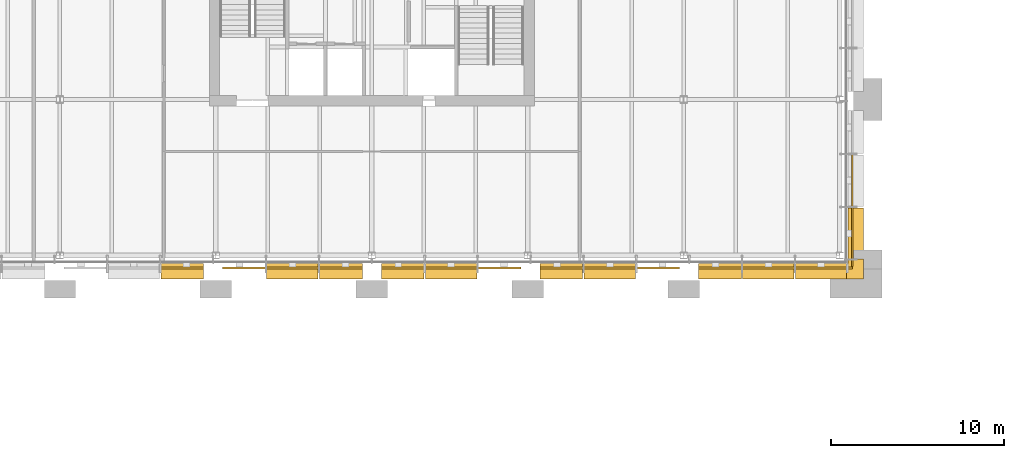
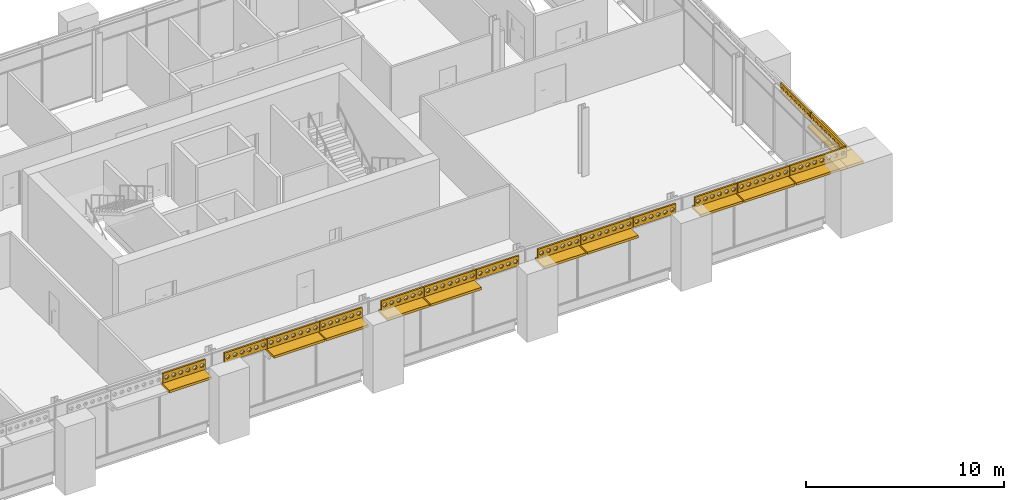
# One storey, part 46 of 54: 27 shading devices.
"""IFC4 building model written with IfcOpenShell, lengths in metres."""

from ifc_helpers import new_model, si_unit, direction, frame, origin, origin_2d, place, context, subcontext, project, spatial, polyline, rectangle, outline, extrude, material, layer, layer_set, type_object, element, save


model = new_model("IFC4")

# Units and contexts
model_context = context("Model", 3, precision=1e-05, world=origin(), true_north=direction((0.0, 1.0)))
body_context = subcontext(model_context, "Body", "Model", "MODEL_VIEW")
ifc_project = project(units=[si_unit("LENGTHUNIT", "METRE"), si_unit("AREAUNIT", "SQUARE_METRE"), si_unit("VOLUMEUNIT", "CUBIC_METRE"), si_unit("PLANEANGLEUNIT", "RADIAN"), si_unit("MASSUNIT", "GRAM", prefix="KILO")], contexts=[model_context])

# Site, building, storey
site_placement = place(None, origin())
site = spatial("IfcSite", under=ifc_project, at=site_placement, CompositionType="ELEMENT")
building_placement = place(site_placement, origin())
building = spatial("IfcBuilding", under=site, at=building_placement, Name="Baradari Gate Terminus", CompositionType="ELEMENT")
storey_placement = place(building_placement, frame((0.0, 0.0, 15.89990234375)))
storey = spatial("IfcBuildingStorey", under=building, at=storey_placement, Name="L03", CompositionType="ELEMENT", Elevation=15.89990234375)

# Shading devices
ifc_material_1 = material(Name="Concrete C40/50 precast", Category="concrete")
ifc_layer_1 = layer(ifc_material_1, 0.14990234375)
ifc_layer_set_1 = layer_set([ifc_layer_1], Name="Concrete C40/50 precast")
shading_device_type_1 = type_object("IfcShadingDeviceType", Name="Chhajja band CJ-1 900x150", PredefinedType="AWNING", material=ifc_layer_set_1)
shading_device_1_placement = place(storey_placement, frame((25.062255859375, 116.080078125, 3.332763671875), z_axis=(0.0, 0.0, 1.0), x_axis=(1.0, 0.0, 0.0)))
element("IfcShadingDevice", 1, at=shading_device_1_placement, inside=storey, type_object=shading_device_type_1, Name="Chhajja band CJ-1 L03/TS bay 6", PredefinedType="AWNING", context=body_context, shape_type="SweptSolid", body=[
    extrude(rectangle(XDim=2.462158203125, YDim=0.89990234375, at=origin_2d()), origin(), (0.0, 0.0, 1.0), 0.14990234375),
])
shading_device_2_placement = place(storey_placement, frame((31.421630859375, 116.080078125, 3.332763671875), z_axis=(0.0, 0.0, 1.0), x_axis=(1.0, 0.0, 0.0)))
element("IfcShadingDevice", 2, at=shading_device_2_placement, inside=storey, type_object=shading_device_type_1, Name="Chhajja band CJ-1 L03/TS bay 8", PredefinedType="AWNING", context=body_context, shape_type="SweptSolid", body=[
    extrude(rectangle(XDim=2.97216796875, YDim=0.89990234375, at=origin_2d()), origin(), (0.0, 0.0, 1.0), 0.14990234375),
])
for number, where, z_axis, x_axis, name in (
    (3, (34.218994140625, 116.080078125, 3.332763671875), (0.0, 0.0, 1.0), (1.0, 0.0, 0.0), "Chhajja band CJ-1 L03/TS bay 9"),
    (4, (37.781005859375, 116.080078125, 3.332763671875), (0.0, 0.0, 1.0), (1.0, 0.0, 0.0), "Chhajja band CJ-1 L03/TS bay 10"),
):
    element("IfcShadingDevice", number, at=place(storey_placement, frame(where, z_axis=z_axis, x_axis=x_axis)), inside=storey, type_object=shading_device_type_1, Name=name, PredefinedType="AWNING", context=body_context, shape_type="SweptSolid", body=[
        extrude(rectangle(XDim=2.462158203125, YDim=0.89990234375, at=origin_2d()), origin(), (0.0, 0.0, 1.0), 0.14990234375),
    ])
shading_device_3_placement = place(storey_placement, frame((40.578369140625, 116.080078125, 3.332763671875), z_axis=(0.0, 0.0, 1.0), x_axis=(1.0, 0.0, 0.0)))
element("IfcShadingDevice", 5, at=shading_device_3_placement, inside=storey, type_object=shading_device_type_1, Name="Chhajja band CJ-1 L03/TS bay 11", PredefinedType="AWNING", context=body_context, shape_type="SweptSolid", body=[
    extrude(rectangle(XDim=2.97216796875, YDim=0.89990234375, at=origin_2d()), origin(), (0.0, 0.0, 1.0), 0.14990234375),
])
shading_device_4_placement = place(storey_placement, frame((46.937744140625, 116.080078125, 3.332763671875), z_axis=(0.0, 0.0, 1.0), x_axis=(1.0, 0.0, 0.0)))
element("IfcShadingDevice", 6, at=shading_device_4_placement, inside=storey, type_object=shading_device_type_1, Name="Chhajja band CJ-1 L03/TS bay 13", PredefinedType="AWNING", context=body_context, shape_type="SweptSolid", body=[
    extrude(rectangle(XDim=2.462158203125, YDim=0.89990234375, at=origin_2d()), origin(), (0.0, 0.0, 1.0), 0.14990234375),
])
shading_device_5_placement = place(storey_placement, frame((49.735107421875, 116.080078125, 3.332763671875), z_axis=(0.0, 0.0, 1.0), x_axis=(1.0, 0.0, 0.0)))
element("IfcShadingDevice", 7, at=shading_device_5_placement, inside=storey, type_object=shading_device_type_1, Name="Chhajja band CJ-1 L03/TS bay 14", PredefinedType="AWNING", context=body_context, shape_type="SweptSolid", body=[
    extrude(rectangle(XDim=2.97216796875, YDim=0.89990234375, at=origin_2d()), origin(), (0.0, 0.0, 1.0), 0.14990234375),
])
shading_device_6_placement = place(storey_placement, frame((56.094482421875, 116.080078125, 3.332763671875), z_axis=(0.0, 0.0, 1.0), x_axis=(1.0, 0.0, 0.0)))
element("IfcShadingDevice", 8, at=shading_device_6_placement, inside=storey, type_object=shading_device_type_1, Name="Chhajja band CJ-1 L03/TS bay 16", PredefinedType="AWNING", context=body_context, shape_type="SweptSolid", body=[
    extrude(rectangle(XDim=2.462158203125, YDim=0.89990234375, at=origin_2d()), origin(), (0.0, 0.0, 1.0), 0.14990234375),
])
shading_device_7_placement = place(storey_placement, frame((58.8916015625, 116.080078125, 3.332763671875), z_axis=(0.0, 0.0, 1.0), x_axis=(1.0, 0.0, 0.0)))
element("IfcShadingDevice", 9, at=shading_device_7_placement, inside=storey, type_object=shading_device_type_1, Name="Chhajja band CJ-1 L03/TS bay 17", PredefinedType="AWNING", context=body_context, shape_type="SweptSolid", body=[
    extrude(rectangle(XDim=2.97216796875, YDim=0.89990234375, at=origin_2d()), origin(), (0.0, 0.0, 1.0), 0.14990234375),
])
shading_device_8_placement = place(storey_placement, frame((61.927734375, 116.080078125, 3.332763671875), z_axis=(0.0, 0.0, 1.0), x_axis=(1.0, 0.0, 0.0)))
element("IfcShadingDevice", 10, at=shading_device_8_placement, inside=storey, type_object=shading_device_type_1, Name="Chhajja band CJ-1 L03/TS bay 18", PredefinedType="AWNING", context=body_context, shape_type="SweptSolid", body=[
    extrude(rectangle(XDim=2.939697265625, YDim=0.89990234375, at=origin_2d()), origin(), (0.0, 0.0, 1.0), 0.14990234375),
])
shading_device_9_placement = place(storey_placement, frame((63.919921875, 118.2763671875, 3.332763671875), z_axis=(0.0, 0.0, 1.0), x_axis=(0.0, 1.0, 0.0)))
element("IfcShadingDevice", 11, at=shading_device_9_placement, inside=storey, type_object=shading_device_type_1, Name="Chhajja band CJ-1 L03/TE bay 1", PredefinedType="AWNING", context=body_context, shape_type="SweptSolid", body=[
    extrude(rectangle(XDim=2.947509765625, YDim=0.89990234375, at=origin_2d()), origin(), (0.0, 0.0, 1.0), 0.14990234375),
])
shading_device_10_placement = place(storey_placement, frame((0.0, 0.0, 3.33251953125)))
element("IfcShadingDevice", 12, at=shading_device_10_placement, inside=storey, type_object=shading_device_type_1, Name="Chhajja band CJ-1 L03/SE corner", PredefinedType="AWNING", context=body_context, shape_type="SweptSolid", body=[
    extrude(outline(polyline([(64.3701171875, 116.802490234375), (63.469970703125, 116.802490234375), (63.469970703125, 116.530029296875), (63.3974609375, 116.530029296875), (63.3974609375, 115.6298828125), (64.3701171875, 115.6298828125), (64.3701171875, 116.802490234375)])), origin(), (0.0, 0.0, 1.0), 0.150146484375),
])
ifc_material_2 = material(Name="Concrete C50/60 precast", Category="concrete")
ifc_layer_2 = layer(ifc_material_2, 0.10009765625)
ifc_layer_set_2 = layer_set([ifc_layer_2], Name="Concrete C50/60 precast")
shading_device_type_2 = type_object("IfcShadingDeviceType", Name="Jali screen panel JS-1 100", PredefinedType="SHUTTER", material=ifc_layer_set_2)
for number, where, z_axis, x_axis, name in (
    (13, (23.81103515625, 116.280029296875, 3.583740234375), (0.0, 0.0, 1.0), (1.0, 0.0, 0.0), "Jali screen panel JS-1 L03/TS bay 6"),
    (14, (27.393310546875, 116.280029296875, 3.583740234375), (0.0, 0.0, 1.0), (1.0, 0.0, 0.0), "Jali screen panel JS-1 L03/TS bay 7"),
):
    element("IfcShadingDevice", number, at=place(storey_placement, frame(where, z_axis=z_axis, x_axis=x_axis)), inside=storey, type_object=shading_device_type_2, Name=name, PredefinedType="SHUTTER", context=body_context, shape_type="SweptSolid", body=[
        extrude(outline(polyline([(0.0, 0.0), (2.482177734375, 0.0), (2.482177734375, 0.60009765625), (0.0, 0.60009765625), (0.0, 0.0)]), holes=[polyline([(0.3369140625, 0.300048828125), (0.27197265625, 0.1875), (0.141845703125, 0.1875), (0.076904296875, 0.300048828125), (0.141845703125, 0.41259765625), (0.27197265625, 0.41259765625), (0.3369140625, 0.300048828125)]), polyline([(0.75048828125, 0.300048828125), (0.685546875, 0.1875), (0.5556640625, 0.1875), (0.490478515625, 0.300048828125), (0.5556640625, 0.41259765625), (0.685546875, 0.41259765625), (0.75048828125, 0.300048828125)]), polyline([(1.164306640625, 0.300048828125), (1.099365234375, 0.1875), (0.96923828125, 0.1875), (0.904296875, 0.300048828125), (0.96923828125, 0.41259765625), (1.099365234375, 0.41259765625), (1.164306640625, 0.300048828125)]), polyline([(1.577880859375, 0.300048828125), (1.512939453125, 0.1875), (1.383056640625, 0.1875), (1.31787109375, 0.300048828125), (1.383056640625, 0.41259765625), (1.512939453125, 0.41259765625), (1.577880859375, 0.300048828125)]), polyline([(1.99169921875, 0.300048828125), (1.9267578125, 0.1875), (1.796630859375, 0.1875), (1.731689453125, 0.300048828125), (1.796630859375, 0.41259765625), (1.9267578125, 0.41259765625), (1.99169921875, 0.300048828125)]), polyline([(2.4052734375, 0.300048828125), (2.34033203125, 0.1875), (2.21044921875, 0.1875), (2.145263671875, 0.300048828125), (2.21044921875, 0.41259765625), (2.34033203125, 0.41259765625), (2.4052734375, 0.300048828125)])]), frame((0.0, 0.050048828125, 0.0), z_axis=(0.0, -1.0, 0.0), x_axis=(1.0, 0.0, 0.0)), (0.0, 0.0, 1.0), 0.10009765625),
    ])
shading_device_11_placement = place(storey_placement, frame((29.91552734375, 116.280029296875, 3.583740234375), z_axis=(0.0, 0.0, 1.0), x_axis=(1.0, 0.0, 0.0)))
element("IfcShadingDevice", 15, at=shading_device_11_placement, inside=storey, type_object=shading_device_type_2, Name="Jali screen panel JS-1 L03/TS bay 8", PredefinedType="SHUTTER", context=body_context, shape_type="SweptSolid", body=[
    extrude(outline(polyline([(0.0, 0.0), (3.01220703125, 0.0), (3.01220703125, 0.60009765625), (0.0, 0.60009765625), (0.0, 0.0)]), holes=[polyline([(0.34521484375, 0.300048828125), (0.2802734375, 0.1875), (0.150146484375, 0.1875), (0.085205078125, 0.300048828125), (0.150146484375, 0.41259765625), (0.2802734375, 0.41259765625), (0.34521484375, 0.300048828125)]), polyline([(0.775390625, 0.300048828125), (0.71044921875, 0.1875), (0.58056640625, 0.1875), (0.515380859375, 0.300048828125), (0.58056640625, 0.41259765625), (0.71044921875, 0.41259765625), (0.775390625, 0.300048828125)]), polyline([(1.205810546875, 0.300048828125), (1.140869140625, 0.1875), (1.0107421875, 0.1875), (0.94580078125, 0.300048828125), (1.0107421875, 0.41259765625), (1.140869140625, 0.41259765625), (1.205810546875, 0.300048828125)]), polyline([(1.63623046875, 0.300048828125), (1.571044921875, 0.1875), (1.441162109375, 0.1875), (1.376220703125, 0.300048828125), (1.441162109375, 0.41259765625), (1.571044921875, 0.41259765625), (1.63623046875, 0.300048828125)]), polyline([(2.06640625, 0.300048828125), (2.00146484375, 0.1875), (1.871337890625, 0.1875), (1.806396484375, 0.300048828125), (1.871337890625, 0.41259765625), (2.00146484375, 0.41259765625), (2.06640625, 0.300048828125)]), polyline([(2.496826171875, 0.300048828125), (2.431640625, 0.1875), (2.3017578125, 0.1875), (2.23681640625, 0.300048828125), (2.3017578125, 0.41259765625), (2.431640625, 0.41259765625), (2.496826171875, 0.300048828125)]), polyline([(2.927001953125, 0.300048828125), (2.862060546875, 0.1875), (2.732177734375, 0.1875), (2.6669921875, 0.300048828125), (2.732177734375, 0.41259765625), (2.862060546875, 0.41259765625), (2.927001953125, 0.300048828125)])]), frame((0.0, 0.050048828125, 0.0), z_axis=(0.0, -1.0, 0.0), x_axis=(1.0, 0.0, 0.0)), (0.0, 0.0, 1.0), 0.10009765625),
])
for number, where, z_axis, x_axis, name in (
    (16, (32.9677734375, 116.280029296875, 3.583740234375), (0.0, 0.0, 1.0), (1.0, 0.0, 0.0), "Jali screen panel JS-1 L03/TS bay 9"),
    (17, (36.550048828125, 116.280029296875, 3.583740234375), (0.0, 0.0, 1.0), (1.0, 0.0, 0.0), "Jali screen panel JS-1 L03/TS bay 10"),
):
    element("IfcShadingDevice", number, at=place(storey_placement, frame(where, z_axis=z_axis, x_axis=x_axis)), inside=storey, type_object=shading_device_type_2, Name=name, PredefinedType="SHUTTER", context=body_context, shape_type="SweptSolid", body=[
        extrude(outline(polyline([(0.0, 0.0), (2.482177734375, 0.0), (2.482177734375, 0.60009765625), (0.0, 0.60009765625), (0.0, 0.0)]), holes=[polyline([(0.3369140625, 0.300048828125), (0.27197265625, 0.1875), (0.141845703125, 0.1875), (0.076904296875, 0.300048828125), (0.141845703125, 0.41259765625), (0.27197265625, 0.41259765625), (0.3369140625, 0.300048828125)]), polyline([(0.75048828125, 0.300048828125), (0.685546875, 0.1875), (0.5556640625, 0.1875), (0.490478515625, 0.300048828125), (0.5556640625, 0.41259765625), (0.685546875, 0.41259765625), (0.75048828125, 0.300048828125)]), polyline([(1.164306640625, 0.300048828125), (1.099365234375, 0.1875), (0.96923828125, 0.1875), (0.904296875, 0.300048828125), (0.96923828125, 0.41259765625), (1.099365234375, 0.41259765625), (1.164306640625, 0.300048828125)]), polyline([(1.577880859375, 0.300048828125), (1.512939453125, 0.1875), (1.383056640625, 0.1875), (1.31787109375, 0.300048828125), (1.383056640625, 0.41259765625), (1.512939453125, 0.41259765625), (1.577880859375, 0.300048828125)]), polyline([(1.99169921875, 0.300048828125), (1.9267578125, 0.1875), (1.796630859375, 0.1875), (1.731689453125, 0.300048828125), (1.796630859375, 0.41259765625), (1.9267578125, 0.41259765625), (1.99169921875, 0.300048828125)]), polyline([(2.4052734375, 0.300048828125), (2.34033203125, 0.1875), (2.21044921875, 0.1875), (2.145263671875, 0.300048828125), (2.21044921875, 0.41259765625), (2.34033203125, 0.41259765625), (2.4052734375, 0.300048828125)])]), frame((0.0, 0.050048828125, 0.0), z_axis=(0.0, -1.0, 0.0), x_axis=(1.0, 0.0, 0.0)), (0.0, 0.0, 1.0), 0.10009765625),
    ])
shading_device_12_placement = place(storey_placement, frame((39.072265625, 116.280029296875, 3.583740234375), z_axis=(0.0, 0.0, 1.0), x_axis=(1.0, 0.0, 0.0)))
element("IfcShadingDevice", 18, at=shading_device_12_placement, inside=storey, type_object=shading_device_type_2, Name="Jali screen panel JS-1 L03/TS bay 11", PredefinedType="SHUTTER", context=body_context, shape_type="SweptSolid", body=[
    extrude(outline(polyline([(0.0, 0.0), (3.01220703125, 0.0), (3.01220703125, 0.60009765625), (0.0, 0.60009765625), (0.0, 0.0)]), holes=[polyline([(0.34521484375, 0.300048828125), (0.2802734375, 0.1875), (0.150146484375, 0.1875), (0.085205078125, 0.300048828125), (0.150146484375, 0.41259765625), (0.2802734375, 0.41259765625), (0.34521484375, 0.300048828125)]), polyline([(0.775390625, 0.300048828125), (0.71044921875, 0.1875), (0.58056640625, 0.1875), (0.515380859375, 0.300048828125), (0.58056640625, 0.41259765625), (0.71044921875, 0.41259765625), (0.775390625, 0.300048828125)]), polyline([(1.205810546875, 0.300048828125), (1.140869140625, 0.1875), (1.0107421875, 0.1875), (0.94580078125, 0.300048828125), (1.0107421875, 0.41259765625), (1.140869140625, 0.41259765625), (1.205810546875, 0.300048828125)]), polyline([(1.63623046875, 0.300048828125), (1.571044921875, 0.1875), (1.441162109375, 0.1875), (1.376220703125, 0.300048828125), (1.441162109375, 0.41259765625), (1.571044921875, 0.41259765625), (1.63623046875, 0.300048828125)]), polyline([(2.06640625, 0.300048828125), (2.00146484375, 0.1875), (1.871337890625, 0.1875), (1.806396484375, 0.300048828125), (1.871337890625, 0.41259765625), (2.00146484375, 0.41259765625), (2.06640625, 0.300048828125)]), polyline([(2.496826171875, 0.300048828125), (2.431640625, 0.1875), (2.3017578125, 0.1875), (2.23681640625, 0.300048828125), (2.3017578125, 0.41259765625), (2.431640625, 0.41259765625), (2.496826171875, 0.300048828125)]), polyline([(2.927001953125, 0.300048828125), (2.862060546875, 0.1875), (2.732177734375, 0.1875), (2.6669921875, 0.300048828125), (2.732177734375, 0.41259765625), (2.862060546875, 0.41259765625), (2.927001953125, 0.300048828125)])]), frame((0.0, 0.050048828125, 0.0), z_axis=(0.0, -1.0, 0.0), x_axis=(1.0, 0.0, 0.0)), (0.0, 0.0, 1.0), 0.10009765625),
])
for number, where, z_axis, x_axis, name in (
    (19, (42.12451171875, 116.280029296875, 3.583740234375), (0.0, 0.0, 1.0), (1.0, 0.0, 0.0), "Jali screen panel JS-1 L03/TS bay 12"),
    (20, (45.706787109375, 116.280029296875, 3.583740234375), (0.0, 0.0, 1.0), (1.0, 0.0, 0.0), "Jali screen panel JS-1 L03/TS bay 13"),
):
    element("IfcShadingDevice", number, at=place(storey_placement, frame(where, z_axis=z_axis, x_axis=x_axis)), inside=storey, type_object=shading_device_type_2, Name=name, PredefinedType="SHUTTER", context=body_context, shape_type="SweptSolid", body=[
        extrude(outline(polyline([(0.0, 0.0), (2.482177734375, 0.0), (2.482177734375, 0.60009765625), (0.0, 0.60009765625), (0.0, 0.0)]), holes=[polyline([(0.3369140625, 0.300048828125), (0.27197265625, 0.1875), (0.141845703125, 0.1875), (0.076904296875, 0.300048828125), (0.141845703125, 0.41259765625), (0.27197265625, 0.41259765625), (0.3369140625, 0.300048828125)]), polyline([(0.75048828125, 0.300048828125), (0.685546875, 0.1875), (0.5556640625, 0.1875), (0.490478515625, 0.300048828125), (0.5556640625, 0.41259765625), (0.685546875, 0.41259765625), (0.75048828125, 0.300048828125)]), polyline([(1.164306640625, 0.300048828125), (1.099365234375, 0.1875), (0.96923828125, 0.1875), (0.904296875, 0.300048828125), (0.96923828125, 0.41259765625), (1.099365234375, 0.41259765625), (1.164306640625, 0.300048828125)]), polyline([(1.577880859375, 0.300048828125), (1.512939453125, 0.1875), (1.383056640625, 0.1875), (1.31787109375, 0.300048828125), (1.383056640625, 0.41259765625), (1.512939453125, 0.41259765625), (1.577880859375, 0.300048828125)]), polyline([(1.99169921875, 0.300048828125), (1.9267578125, 0.1875), (1.796630859375, 0.1875), (1.731689453125, 0.300048828125), (1.796630859375, 0.41259765625), (1.9267578125, 0.41259765625), (1.99169921875, 0.300048828125)]), polyline([(2.4052734375, 0.300048828125), (2.34033203125, 0.1875), (2.21044921875, 0.1875), (2.145263671875, 0.300048828125), (2.21044921875, 0.41259765625), (2.34033203125, 0.41259765625), (2.4052734375, 0.300048828125)])]), frame((0.0, 0.050048828125, 0.0), z_axis=(0.0, -1.0, 0.0), x_axis=(1.0, 0.0, 0.0)), (0.0, 0.0, 1.0), 0.10009765625),
    ])
shading_device_13_placement = place(storey_placement, frame((48.22900390625, 116.280029296875, 3.583740234375), z_axis=(0.0, 0.0, 1.0), x_axis=(1.0, 0.0, 0.0)))
element("IfcShadingDevice", 21, at=shading_device_13_placement, inside=storey, type_object=shading_device_type_2, Name="Jali screen panel JS-1 L03/TS bay 14", PredefinedType="SHUTTER", context=body_context, shape_type="SweptSolid", body=[
    extrude(outline(polyline([(0.0, 0.0), (3.01220703125, 0.0), (3.01220703125, 0.60009765625), (0.0, 0.60009765625), (0.0, 0.0)]), holes=[polyline([(0.34521484375, 0.300048828125), (0.2802734375, 0.1875), (0.150146484375, 0.1875), (0.085205078125, 0.300048828125), (0.150146484375, 0.41259765625), (0.2802734375, 0.41259765625), (0.34521484375, 0.300048828125)]), polyline([(0.775390625, 0.300048828125), (0.71044921875, 0.1875), (0.58056640625, 0.1875), (0.515380859375, 0.300048828125), (0.58056640625, 0.41259765625), (0.71044921875, 0.41259765625), (0.775390625, 0.300048828125)]), polyline([(1.205810546875, 0.300048828125), (1.140869140625, 0.1875), (1.0107421875, 0.1875), (0.94580078125, 0.300048828125), (1.0107421875, 0.41259765625), (1.140869140625, 0.41259765625), (1.205810546875, 0.300048828125)]), polyline([(1.63623046875, 0.300048828125), (1.571044921875, 0.1875), (1.441162109375, 0.1875), (1.376220703125, 0.300048828125), (1.441162109375, 0.41259765625), (1.571044921875, 0.41259765625), (1.63623046875, 0.300048828125)]), polyline([(2.06640625, 0.300048828125), (2.00146484375, 0.1875), (1.871337890625, 0.1875), (1.806396484375, 0.300048828125), (1.871337890625, 0.41259765625), (2.00146484375, 0.41259765625), (2.06640625, 0.300048828125)]), polyline([(2.496826171875, 0.300048828125), (2.431640625, 0.1875), (2.3017578125, 0.1875), (2.23681640625, 0.300048828125), (2.3017578125, 0.41259765625), (2.431640625, 0.41259765625), (2.496826171875, 0.300048828125)]), polyline([(2.927001953125, 0.300048828125), (2.862060546875, 0.1875), (2.732177734375, 0.1875), (2.6669921875, 0.300048828125), (2.732177734375, 0.41259765625), (2.862060546875, 0.41259765625), (2.927001953125, 0.300048828125)])]), frame((0.0, 0.050048828125, 0.0), z_axis=(0.0, -1.0, 0.0), x_axis=(1.0, 0.0, 0.0)), (0.0, 0.0, 1.0), 0.10009765625),
])
shading_device_14_placement = place(storey_placement, frame((51.281005859375, 116.280029296875, 3.583740234375), z_axis=(0.0, 0.0, 1.0), x_axis=(1.0, 0.0, 0.0)))
element("IfcShadingDevice", 22, at=shading_device_14_placement, inside=storey, type_object=shading_device_type_2, Name="Jali screen panel JS-1 L03/TS bay 15", PredefinedType="SHUTTER", context=body_context, shape_type="SweptSolid", body=[
    extrude(outline(polyline([(0.0, 0.0), (2.482421875, 0.0), (2.482421875, 0.60009765625), (0.0, 0.60009765625), (0.0, 0.0)]), holes=[polyline([(0.3369140625, 0.300048828125), (0.27197265625, 0.1875), (0.141845703125, 0.1875), (0.076904296875, 0.300048828125), (0.141845703125, 0.41259765625), (0.27197265625, 0.41259765625), (0.3369140625, 0.300048828125)]), polyline([(0.75048828125, 0.300048828125), (0.685546875, 0.1875), (0.5556640625, 0.1875), (0.490478515625, 0.300048828125), (0.5556640625, 0.41259765625), (0.685546875, 0.41259765625), (0.75048828125, 0.300048828125)]), polyline([(1.164306640625, 0.300048828125), (1.099365234375, 0.1875), (0.96923828125, 0.1875), (0.904296875, 0.300048828125), (0.96923828125, 0.41259765625), (1.099365234375, 0.41259765625), (1.164306640625, 0.300048828125)]), polyline([(1.577880859375, 0.300048828125), (1.512939453125, 0.1875), (1.383056640625, 0.1875), (1.31787109375, 0.300048828125), (1.383056640625, 0.41259765625), (1.512939453125, 0.41259765625), (1.577880859375, 0.300048828125)]), polyline([(1.99169921875, 0.300048828125), (1.9267578125, 0.1875), (1.796630859375, 0.1875), (1.731689453125, 0.300048828125), (1.796630859375, 0.41259765625), (1.9267578125, 0.41259765625), (1.99169921875, 0.300048828125)]), polyline([(2.4052734375, 0.300048828125), (2.34033203125, 0.1875), (2.21044921875, 0.1875), (2.145263671875, 0.300048828125), (2.21044921875, 0.41259765625), (2.34033203125, 0.41259765625), (2.4052734375, 0.300048828125)])]), frame((0.0, 0.050048828125, 0.0), z_axis=(0.0, -1.0, 0.0), x_axis=(1.0, 0.0, 0.0)), (0.0, 0.0, 1.0), 0.10009765625),
])
shading_device_15_placement = place(storey_placement, frame((54.86328125, 116.280029296875, 3.583740234375), z_axis=(0.0, 0.0, 1.0), x_axis=(1.0, 0.0, 0.0)))
element("IfcShadingDevice", 23, at=shading_device_15_placement, inside=storey, type_object=shading_device_type_2, Name="Jali screen panel JS-1 L03/TS bay 16", PredefinedType="SHUTTER", context=body_context, shape_type="SweptSolid", body=[
    extrude(outline(polyline([(0.0, 0.0), (2.482177734375, 0.0), (2.482177734375, 0.60009765625), (0.0, 0.60009765625), (0.0, 0.0)]), holes=[polyline([(0.3369140625, 0.300048828125), (0.27197265625, 0.1875), (0.141845703125, 0.1875), (0.076904296875, 0.300048828125), (0.141845703125, 0.41259765625), (0.27197265625, 0.41259765625), (0.3369140625, 0.300048828125)]), polyline([(0.75048828125, 0.300048828125), (0.685546875, 0.1875), (0.5556640625, 0.1875), (0.490478515625, 0.300048828125), (0.5556640625, 0.41259765625), (0.685546875, 0.41259765625), (0.75048828125, 0.300048828125)]), polyline([(1.164306640625, 0.300048828125), (1.099365234375, 0.1875), (0.96923828125, 0.1875), (0.904296875, 0.300048828125), (0.96923828125, 0.41259765625), (1.099365234375, 0.41259765625), (1.164306640625, 0.300048828125)]), polyline([(1.577880859375, 0.300048828125), (1.512939453125, 0.1875), (1.383056640625, 0.1875), (1.31787109375, 0.300048828125), (1.383056640625, 0.41259765625), (1.512939453125, 0.41259765625), (1.577880859375, 0.300048828125)]), polyline([(1.99169921875, 0.300048828125), (1.9267578125, 0.1875), (1.796630859375, 0.1875), (1.731689453125, 0.300048828125), (1.796630859375, 0.41259765625), (1.9267578125, 0.41259765625), (1.99169921875, 0.300048828125)]), polyline([(2.4052734375, 0.300048828125), (2.34033203125, 0.1875), (2.21044921875, 0.1875), (2.145263671875, 0.300048828125), (2.21044921875, 0.41259765625), (2.34033203125, 0.41259765625), (2.4052734375, 0.300048828125)])]), frame((0.0, 0.050048828125, 0.0), z_axis=(0.0, -1.0, 0.0), x_axis=(1.0, 0.0, 0.0)), (0.0, 0.0, 1.0), 0.10009765625),
])
shading_device_16_placement = place(storey_placement, frame((57.385498046875, 116.280029296875, 3.583740234375), z_axis=(0.0, 0.0, 1.0), x_axis=(1.0, 0.0, 0.0)))
element("IfcShadingDevice", 24, at=shading_device_16_placement, inside=storey, type_object=shading_device_type_2, Name="Jali screen panel JS-1 L03/TS bay 17", PredefinedType="SHUTTER", context=body_context, shape_type="SweptSolid", body=[
    extrude(outline(polyline([(0.0, 0.0), (3.01220703125, 0.0), (3.01220703125, 0.60009765625), (0.0, 0.60009765625), (0.0, 0.0)]), holes=[polyline([(0.34521484375, 0.300048828125), (0.2802734375, 0.1875), (0.150146484375, 0.1875), (0.085205078125, 0.300048828125), (0.150146484375, 0.41259765625), (0.2802734375, 0.41259765625), (0.34521484375, 0.300048828125)]), polyline([(0.775390625, 0.300048828125), (0.71044921875, 0.1875), (0.58056640625, 0.1875), (0.515380859375, 0.300048828125), (0.58056640625, 0.41259765625), (0.71044921875, 0.41259765625), (0.775390625, 0.300048828125)]), polyline([(1.205810546875, 0.300048828125), (1.140869140625, 0.1875), (1.0107421875, 0.1875), (0.94580078125, 0.300048828125), (1.0107421875, 0.41259765625), (1.140869140625, 0.41259765625), (1.205810546875, 0.300048828125)]), polyline([(1.63623046875, 0.300048828125), (1.571044921875, 0.1875), (1.441162109375, 0.1875), (1.376220703125, 0.300048828125), (1.441162109375, 0.41259765625), (1.571044921875, 0.41259765625), (1.63623046875, 0.300048828125)]), polyline([(2.06640625, 0.300048828125), (2.00146484375, 0.1875), (1.871337890625, 0.1875), (1.806396484375, 0.300048828125), (1.871337890625, 0.41259765625), (2.00146484375, 0.41259765625), (2.06640625, 0.300048828125)]), polyline([(2.496826171875, 0.300048828125), (2.431640625, 0.1875), (2.3017578125, 0.1875), (2.23681640625, 0.300048828125), (2.3017578125, 0.41259765625), (2.431640625, 0.41259765625), (2.496826171875, 0.300048828125)]), polyline([(2.927001953125, 0.300048828125), (2.862060546875, 0.1875), (2.732177734375, 0.1875), (2.6669921875, 0.300048828125), (2.732177734375, 0.41259765625), (2.862060546875, 0.41259765625), (2.927001953125, 0.300048828125)])]), frame((0.0, 0.050048828125, 0.0), z_axis=(0.0, -1.0, 0.0), x_axis=(1.0, 0.0, 0.0)), (0.0, 0.0, 1.0), 0.10009765625),
])
shading_device_17_placement = place(storey_placement, frame((60.437744140625, 116.280029296875, 3.583740234375), z_axis=(0.0, 0.0, 1.0), x_axis=(1.0, 0.0, 0.0)))
element("IfcShadingDevice", 25, at=shading_device_17_placement, inside=storey, type_object=shading_device_type_2, Name="Jali screen panel JS-1 L03/TS bay 18", PredefinedType="SHUTTER", context=body_context, shape_type="SweptSolid", body=[
    extrude(outline(polyline([(0.0, 0.0), (3.2998046875, 0.0), (3.2998046875, 0.60009765625), (0.0, 0.60009765625), (0.0, 0.0)]), holes=[polyline([(0.336181640625, 0.300048828125), (0.271240234375, 0.1875), (0.14111328125, 0.1875), (0.076171875, 0.300048828125), (0.14111328125, 0.41259765625), (0.271240234375, 0.41259765625), (0.336181640625, 0.300048828125)]), polyline([(0.748779296875, 0.300048828125), (0.68359375, 0.1875), (0.5537109375, 0.1875), (0.48876953125, 0.300048828125), (0.5537109375, 0.41259765625), (0.68359375, 0.41259765625), (0.748779296875, 0.300048828125)]), polyline([(1.1611328125, 0.300048828125), (1.09619140625, 0.1875), (0.966064453125, 0.1875), (0.901123046875, 0.300048828125), (0.966064453125, 0.41259765625), (1.09619140625, 0.41259765625), (1.1611328125, 0.300048828125)]), polyline([(1.57373046875, 0.300048828125), (1.508544921875, 0.1875), (1.378662109375, 0.1875), (1.313720703125, 0.300048828125), (1.378662109375, 0.41259765625), (1.508544921875, 0.41259765625), (1.57373046875, 0.300048828125)]), polyline([(1.986083984375, 0.300048828125), (1.921142578125, 0.1875), (1.791015625, 0.1875), (1.72607421875, 0.300048828125), (1.791015625, 0.41259765625), (1.921142578125, 0.41259765625), (1.986083984375, 0.300048828125)]), polyline([(2.3984375, 0.300048828125), (2.33349609375, 0.1875), (2.20361328125, 0.1875), (2.138671875, 0.300048828125), (2.20361328125, 0.41259765625), (2.33349609375, 0.41259765625), (2.3984375, 0.300048828125)]), polyline([(2.81103515625, 0.300048828125), (2.74609375, 0.1875), (2.615966796875, 0.1875), (2.551025390625, 0.300048828125), (2.615966796875, 0.41259765625), (2.74609375, 0.41259765625), (2.81103515625, 0.300048828125)]), polyline([(3.223388671875, 0.300048828125), (3.158447265625, 0.1875), (3.028564453125, 0.1875), (2.96337890625, 0.300048828125), (3.028564453125, 0.41259765625), (3.158447265625, 0.41259765625), (3.223388671875, 0.300048828125)])]), frame((0.0, 0.050048828125, 0.0), z_axis=(0.0, -1.0, 0.0), x_axis=(1.0, 0.0, 0.0)), (0.0, 0.0, 1.0), 0.10009765625),
])
shading_device_18_placement = place(storey_placement, frame((63.719970703125, 116.362548828125, 3.583740234375), z_axis=(0.0, 0.0, 1.0), x_axis=(0.0, 1.0, 0.0)))
element("IfcShadingDevice", 26, at=shading_device_18_placement, inside=storey, type_object=shading_device_type_2, Name="Jali screen panel JS-1 L03/TE bay 1", PredefinedType="SHUTTER", context=body_context, shape_type="SweptSolid", body=[
    extrude(outline(polyline([(0.0, 0.0), (3.407470703125, 0.0), (3.407470703125, 0.60009765625), (0.0, 0.60009765625), (0.0, 0.0)]), holes=[polyline([(0.343017578125, 0.300048828125), (0.278076171875, 0.1875), (0.14794921875, 0.1875), (0.0830078125, 0.300048828125), (0.14794921875, 0.41259765625), (0.278076171875, 0.41259765625), (0.343017578125, 0.300048828125)]), polyline([(0.768798828125, 0.300048828125), (0.703857421875, 0.1875), (0.573974609375, 0.1875), (0.5087890625, 0.300048828125), (0.573974609375, 0.41259765625), (0.703857421875, 0.41259765625), (0.768798828125, 0.300048828125)]), polyline([(1.19482421875, 0.300048828125), (1.1298828125, 0.1875), (0.999755859375, 0.1875), (0.934814453125, 0.300048828125), (0.999755859375, 0.41259765625), (1.1298828125, 0.41259765625), (1.19482421875, 0.300048828125)]), polyline([(1.620849609375, 0.300048828125), (1.5556640625, 0.1875), (1.42578125, 0.1875), (1.36083984375, 0.300048828125), (1.42578125, 0.41259765625), (1.5556640625, 0.41259765625), (1.620849609375, 0.300048828125)]), polyline([(2.046630859375, 0.300048828125), (1.981689453125, 0.1875), (1.851806640625, 0.1875), (1.78662109375, 0.300048828125), (1.851806640625, 0.41259765625), (1.981689453125, 0.41259765625), (2.046630859375, 0.300048828125)]), polyline([(2.47265625, 0.300048828125), (2.40771484375, 0.1875), (2.277587890625, 0.1875), (2.212646484375, 0.300048828125), (2.277587890625, 0.41259765625), (2.40771484375, 0.41259765625), (2.47265625, 0.300048828125)]), polyline([(2.898681640625, 0.300048828125), (2.83349609375, 0.1875), (2.70361328125, 0.1875), (2.638671875, 0.300048828125), (2.70361328125, 0.41259765625), (2.83349609375, 0.41259765625), (2.898681640625, 0.300048828125)]), polyline([(3.324462890625, 0.300048828125), (3.259521484375, 0.1875), (3.129638671875, 0.1875), (3.064453125, 0.300048828125), (3.129638671875, 0.41259765625), (3.259521484375, 0.41259765625), (3.324462890625, 0.300048828125)])]), frame((0.0, 0.050048828125, 0.0), z_axis=(0.0, -1.0, 0.0), x_axis=(1.0, 0.0, 0.0)), (0.0, 0.0, 1.0), 0.10009765625),
])
shading_device_19_placement = place(storey_placement, frame((63.719970703125, 119.81005859375, 3.583740234375), z_axis=(0.0, 0.0, 1.0), x_axis=(0.0, 1.0, 0.0)))
element("IfcShadingDevice", 27, at=shading_device_19_placement, inside=storey, type_object=shading_device_type_2, Name="Jali screen panel JS-1 L03/TE bay 2", PredefinedType="SHUTTER", context=body_context, shape_type="SweptSolid", body=[
    extrude(outline(polyline([(0.0, 0.0), (3.02001953125, 0.0), (3.02001953125, 0.60009765625), (0.0, 0.60009765625), (0.0, 0.0)]), holes=[polyline([(0.345703125, 0.300048828125), (0.28076171875, 0.1875), (0.150634765625, 0.1875), (0.085693359375, 0.300048828125), (0.150634765625, 0.41259765625), (0.28076171875, 0.41259765625), (0.345703125, 0.300048828125)]), polyline([(0.777099609375, 0.300048828125), (0.712158203125, 0.1875), (0.58203125, 0.1875), (0.51708984375, 0.300048828125), (0.58203125, 0.41259765625), (0.712158203125, 0.41259765625), (0.777099609375, 0.300048828125)]), polyline([(1.20849609375, 0.300048828125), (1.1435546875, 0.1875), (1.013671875, 0.1875), (0.948486328125, 0.300048828125), (1.013671875, 0.41259765625), (1.1435546875, 0.41259765625), (1.20849609375, 0.300048828125)]), polyline([(1.639892578125, 0.300048828125), (1.574951171875, 0.1875), (1.445068359375, 0.1875), (1.3798828125, 0.300048828125), (1.445068359375, 0.41259765625), (1.574951171875, 0.41259765625), (1.639892578125, 0.300048828125)]), polyline([(2.071533203125, 0.300048828125), (2.00634765625, 0.1875), (1.87646484375, 0.1875), (1.8115234375, 0.300048828125), (1.87646484375, 0.41259765625), (2.00634765625, 0.41259765625), (2.071533203125, 0.300048828125)]), polyline([(2.5029296875, 0.300048828125), (2.437744140625, 0.1875), (2.307861328125, 0.1875), (2.242919921875, 0.300048828125), (2.307861328125, 0.41259765625), (2.437744140625, 0.41259765625), (2.5029296875, 0.300048828125)]), polyline([(2.934326171875, 0.300048828125), (2.869384765625, 0.1875), (2.7392578125, 0.1875), (2.67431640625, 0.300048828125), (2.7392578125, 0.41259765625), (2.869384765625, 0.41259765625), (2.934326171875, 0.300048828125)])]), frame((0.0, 0.050048828125, 0.0), z_axis=(0.0, -1.0, 0.0), x_axis=(1.0, 0.0, 0.0)), (0.0, 0.0, 1.0), 0.10009765625),
])

save(model, "model.ifc")
